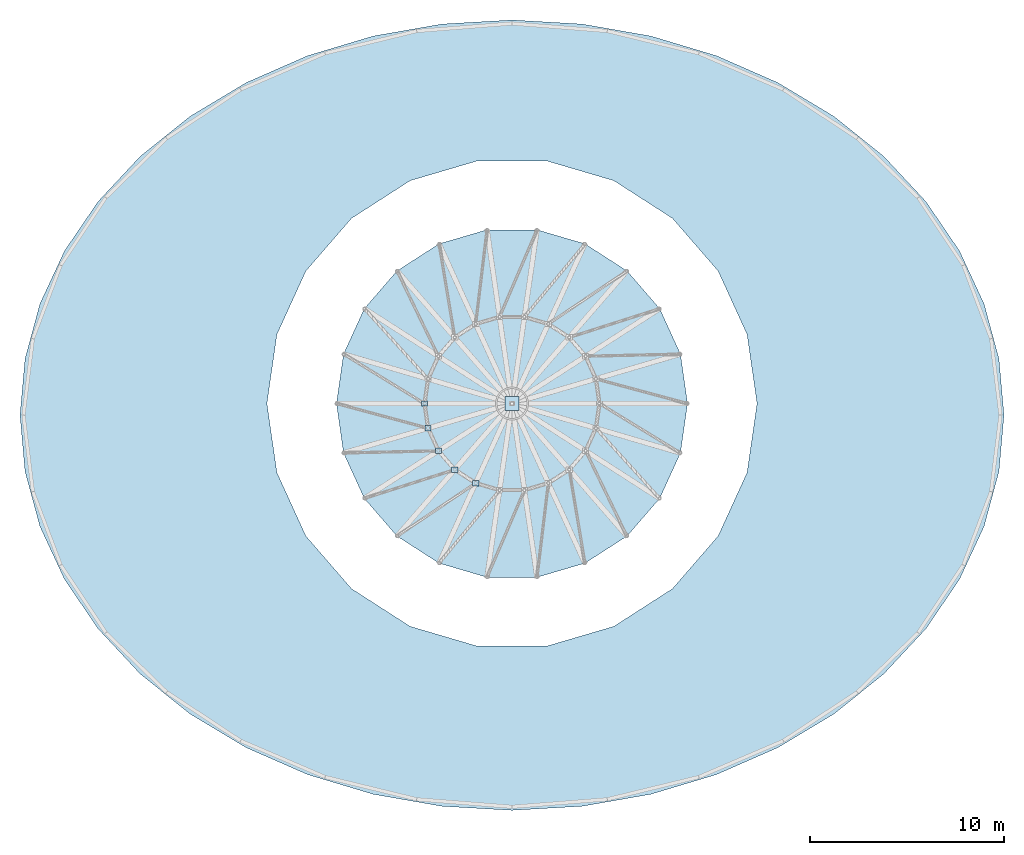
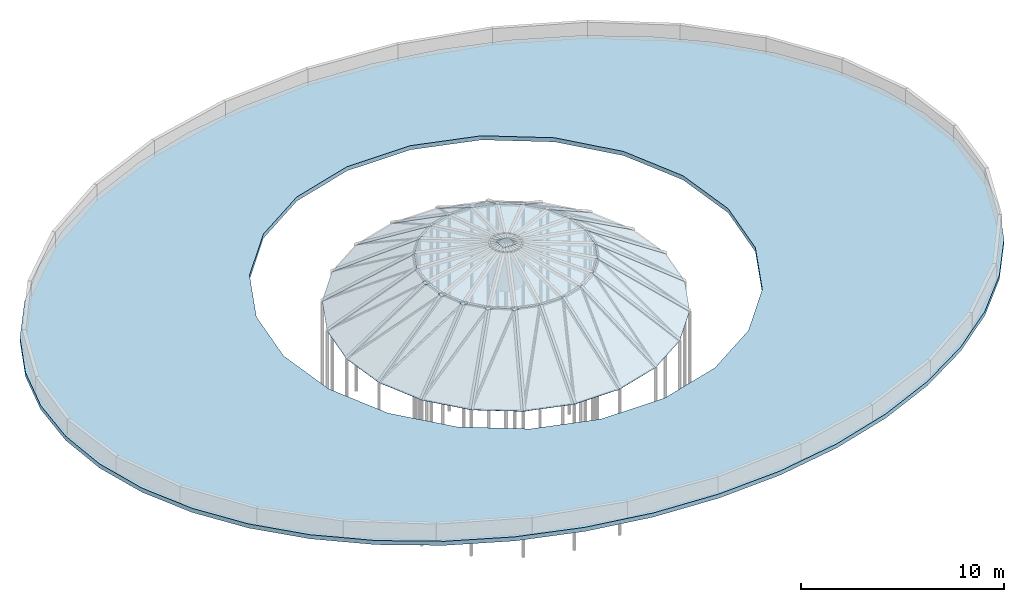
# One storey, part 6 of 8: 50 plates, 1 slab.
"""IFC4 building model written with IfcOpenShell, lengths in metres."""

from ifc_helpers import new_model, si_unit, direction, frame, origin, origin_2d, place, context, subcontext, project, spatial, polyline, rectangle, outline, extrude, material, layer, layer_set, type_object, element, save


model = new_model("IFC4")

# Units and contexts
model_context = context("Model", 3, precision=1e-05, world=origin(), true_north=direction((0.0, 1.0)))
body_context = subcontext(model_context, "Body", "Model", "MODEL_VIEW")
ifc_project = project(units=[si_unit("LENGTHUNIT", "METRE"), si_unit("AREAUNIT", "SQUARE_METRE"), si_unit("VOLUMEUNIT", "CUBIC_METRE"), si_unit("PLANEANGLEUNIT", "RADIAN"), si_unit("MASSUNIT", "GRAM", prefix="KILO")], contexts=[model_context])

# Site, building, storey
site_placement = place(None, origin())
site = spatial("IfcSite", under=ifc_project, at=site_placement, CompositionType="ELEMENT")
building_placement = place(site_placement, origin())
building = spatial("IfcBuilding", under=site, at=building_placement, Name="Pelvatis Terrace Science Centre", CompositionType="ELEMENT")
storey_placement = place(building_placement, frame((0.0, 0.0, 28.800048828125)))
storey = spatial("IfcBuildingStorey", under=building, at=storey_placement, Name="RF", CompositionType="ELEMENT", Elevation=28.800048828125)

# Plates
ifc_material_1 = material(Name="Structural steel S355", Category="steel")
ifc_layer_1 = layer(ifc_material_1, 0.031982421875)
ifc_layer_set_1 = layer_set([ifc_layer_1], Name="Structural steel S355")
plate_type_1 = type_object("IfcPlateType", Name="PLT-CAP-720x720x32", PredefinedType="USERDEFINED", material=ifc_layer_set_1)
plate_1_placement = place(storey_placement, frame((109.199951171875, 85.800048828125, 2.3681640625), z_axis=(0.0, 0.0, 1.0), x_axis=(1.0, 0.0, 0.0)))
element("IfcPlate", 1, at=plate_1_placement, inside=storey, type_object=plate_type_1, Name="Planetarium dome crown apex cap plate", ObjectType="CAP PLATE", PredefinedType="USERDEFINED", context=body_context, shape_type="SweptSolid", body=[
    extrude(rectangle(XDim=0.719970703125, YDim=0.719970703125, at=origin_2d()), origin(), (0.0, 0.0, 1.0), 0.031982421875),
])
ifc_material_2 = material(Name="Bronze-patinated standing-seam titanium-zinc sheet", Category="steel")
ifc_layer_2 = layer(ifc_material_2, 0.011962890625)
ifc_layer_set_2 = layer_set([ifc_layer_2], Name="Bronze-patinated standing-seam titanium-zinc sheet")
plate_type_2 = type_object("IfcPlateType", Name="PLT-DOM-SH12", PredefinedType="SHEET", material=ifc_layer_set_2)
plate_2_placement = place(storey_placement, frame((118.263671875, 85.800048828125, -1.447265625), z_axis=(0.550181092954, 0.079108941376, 0.831289684978), x_axis=(-0.142331752591, 0.989819009805, 5.6601e-06)))
element("IfcPlate", 2, at=plate_2_placement, inside=storey, type_object=plate_type_2, Name="Planetarium dome shell panel 3.01", PredefinedType="SHEET", context=body_context, shape_type="SweptSolid", body=[
    extrude(outline(polyline([(0.0, 0.0), (2.5797324168585383, -5.551115123125783e-17), (1.9324399081032637, 5.415670184627411), (0.6473902196810699, 5.415709539616202), (0.0, 0.0)])), origin(), (0.0, 0.0, -1.0), 0.013916015625),
])
plate_3_placement = place(storey_placement, frame((117.896484375, 88.353515625, -1.447265625), z_axis=(0.505614415474, 0.230881216315, 0.831292924797), x_axis=(-0.415368092473, 0.909653421753, -6.968852e-06)))
element("IfcPlate", 3, at=plate_3_placement, inside=storey, type_object=plate_type_2, Name="Planetarium dome shell panel 3.02", PredefinedType="SHEET", context=body_context, shape_type="SweptSolid", body=[
    extrude(outline(polyline([(0.0, 0.0), (2.5797459100959377, -2.220446049250313e-16), (1.9322725027435417, 5.415761298979378), (0.6469355264219757, 5.415712839972862), (0.0, 0.0)])), origin(), (0.0, 0.0, -1.0), 0.013916015625),
])
plate_4_placement = place(storey_placement, frame((116.824951171875, 90.7001953125, -1.447265625), z_axis=(0.420067060851, 0.363994919746, 0.831294991436), x_axis=(-0.65486566033, 0.755745305589, 4.9718e-08)))
element("IfcPlate", 4, at=plate_4_placement, inside=storey, type_object=plate_type_2, Name="Planetarium dome shell panel 3.03", PredefinedType="SHEET", context=body_context, shape_type="SweptSolid", body=[
    extrude(outline(polyline([(0.0, 0.0), (2.579846772441714, -2.220446049250313e-16), (1.9325000357114408, 5.4157670150134), (0.647422702510147, 5.415767360724928), (0.0, 0.0)])), origin(), (0.0, 0.0, -1.0), 0.013916015625),
])
plate_5_placement = place(storey_placement, frame((115.135498046875, 92.64990234375, -1.447265625), z_axis=(0.300518662124, 0.46759439963, 0.831290569627), x_axis=(-0.84125761292, 0.540634468319, 1.9202315e-05)))
element("IfcPlate", 5, at=plate_5_placement, inside=storey, type_object=plate_type_2, Name="Planetarium dome shell panel 3.04", PredefinedType="SHEET", context=body_context, shape_type="SweptSolid", body=[
    extrude(outline(polyline([(0.0, 0.0), (2.579937718840264, -2.220446049250313e-16), (1.9327545476483177, 5.4156359862847046), (0.6473257637300799, 5.415769521547444), (0.0, 0.0)])), origin(), (0.0, 0.0, -1.0), 0.013916015625),
])
plate_6_placement = place(storey_placement, frame((112.965087890625, 94.044677734375, -1.447265625), z_axis=(0.156602526415, 0.533326406662, 0.831287310548), x_axis=(-0.959488613652, 0.281747405022, -6.00291e-06)))
element("IfcPlate", 6, at=plate_6_placement, inside=storey, type_object=plate_type_2, Name="Planetarium dome shell panel 3.05", PredefinedType="SHEET", context=body_context, shape_type="SweptSolid", body=[
    extrude(outline(polyline([(0.0, 0.0), (2.5796039037968295, -1.1102230246251565e-16), (1.9324036203314163, 5.415676133052485), (0.6471964940612613, 5.415634394444972), (0.0, 0.0)])), origin(), (0.0, 0.0, -1.0), 0.013916015625),
])
plate_7_placement = place(storey_placement, frame((110.489990234375, 94.771484375, -1.447265625), z_axis=(0.0, 0.55584402576, 0.831286604624), x_axis=(-1.0, 0.0, 0.0)))
element("IfcPlate", 7, at=plate_7_placement, inside=storey, type_object=plate_type_2, Name="Planetarium dome shell panel 3.06", PredefinedType="SHEET", context=body_context, shape_type="SweptSolid", body=[
    extrude(outline(polyline([(0.0, 0.0), (2.579833984375, 0.0), (1.9326171875, 5.415644977266387), (0.6474609375, 5.415644977266387), (0.0, 0.0)])), origin(), (0.0, 0.0, -1.0), 0.013916015625),
])
plate_8_placement = place(storey_placement, frame((107.91015625, 94.771484375, -1.447265625), z_axis=(-0.15659386176, 0.533332008998, 0.831285348504), x_axis=(-0.959495353851, -0.281724450367, 1.905841e-06)))
element("IfcPlate", 8, at=plate_8_placement, inside=storey, type_object=plate_type_2, Name="Planetarium dome shell panel 3.07", PredefinedType="SHEET", context=body_context, shape_type="SweptSolid", body=[
    extrude(outline(polyline([(0.0, 0.0), (2.5798381546480718, -1.1102230246251565e-16), (1.9325216242474308, 5.41562004815724), (0.6473144972464567, 5.415633300322998), (0.0, 0.0)])), origin(), (0.0, 0.0, -1.0), 0.013916015625),
])
plate_9_placement = place(storey_placement, frame((105.434814453125, 94.044677734375, -1.447265625), z_axis=(-0.300537675535, 0.467588874155, 0.831286803907), x_axis=(-0.84123279303, -0.540673087736, -1.1341236e-05)))
element("IfcPlate", 9, at=plate_9_placement, inside=storey, type_object=plate_type_2, Name="Planetarium dome shell panel 3.08", PredefinedType="SHEET", context=body_context, shape_type="SweptSolid", body=[
    extrude(outline(polyline([(0.0, 0.0), (2.57973233581085, -2.220446049250313e-16), (1.9328422957017184, 5.41568731921476), (0.6474135063669628, 5.4156084558526265), (0.0, 0.0)])), origin(), (0.0, 0.0, -1.0), 0.013916015625),
])
plate_10_placement = place(storey_placement, frame((103.2646484375, 92.64990234375, -1.447265625), z_axis=(-0.42007895789, 0.364005228724, 0.831284465511), x_axis=(-0.654865660329, -0.755745305591, -4.9719e-08)))
element("IfcPlate", 10, at=plate_10_placement, inside=storey, type_object=plate_type_2, Name="Planetarium dome shell panel 3.09", PredefinedType="SHEET", context=body_context, shape_type="SweptSolid", body=[
    extrude(outline(polyline([(0.0, 0.0), (2.579846772441714, 2.220446049250313e-16), (1.9325839492493049, 5.415613981012818), (0.6475066160480113, 5.415613635305668), (0.0, 0.0)])), origin(), (0.0, 0.0, -1.0), 0.013916015625),
])
plate_11_placement = place(storey_placement, frame((101.5751953125, 90.7001953125, -1.447265625), z_axis=(-0.505609766085, 0.230914202593, 0.831286590461), x_axis=(-0.415438352489, -0.909621336184, -6.258634e-06)))
element("IfcPlate", 11, at=plate_11_placement, inside=storey, type_object=plate_type_2, Name="Planetarium dome shell panel 3.10", PredefinedType="SHEET", context=body_context, shape_type="SweptSolid", body=[
    extrude(outline(polyline([(0.0, 0.0), (2.5798473268632858, 0.0), (1.9325242492108112, 5.415666530873442), (0.6471872726773734, 5.415623010082562), (0.0, 0.0)])), origin(), (0.0, 0.0, -1.0), 0.013916015625),
])
plate_12_placement = place(storey_placement, frame((100.50341796875, 88.353515625, -1.447265625), z_axis=(-0.550181092954, 0.079108941376, 0.831289684978), x_axis=(-0.142331752591, -0.989819009805, -5.6601e-06)))
element("IfcPlate", 12, at=plate_12_placement, inside=storey, type_object=plate_type_2, Name="Planetarium dome shell panel 3.11", PredefinedType="SHEET", context=body_context, shape_type="SweptSolid", body=[
    extrude(outline(polyline([(0.0, 0.0), (2.5797324168585383, 5.551115123125783e-17), (1.9323421971774684, 5.415709539616202), (0.6472925087552747, 5.415670184627411), (0.0, 0.0)])), origin(), (0.0, 0.0, -1.0), 0.013916015625),
])
plate_13_placement = place(storey_placement, frame((100.13623046875, 85.800048828125, -1.447265625), z_axis=(-0.550183271266, -0.079104206137, 0.831288693891), x_axis=(0.142329003274, -0.989819405109, 9.814109e-06)))
element("IfcPlate", 13, at=plate_13_placement, inside=storey, type_object=plate_type_2, Name="Planetarium dome shell panel 3.12", PredefinedType="SHEET", context=body_context, shape_type="SweptSolid", body=[
    extrude(outline(polyline([(0.0, 0.0), (2.579732416738556, 5.551115123125783e-17), (1.9326815630933392, 5.415641297461893), (0.647390219471215, 5.415709539584135), (0.0, 0.0)])), origin(), (0.0, 0.0, -1.0), 0.013916015625),
])
plate_14_placement = place(storey_placement, frame((100.50341796875, 83.24658203125, -1.447265625), z_axis=(-0.505607642376, -0.230929268327, 0.831283697062), x_axis=(0.415445727481, -0.909617967876, -5.866796e-06)))
element("IfcPlate", 14, at=plate_14_placement, inside=storey, type_object=plate_type_2, Name="Planetarium dome shell panel 3.13", PredefinedType="SHEET", context=body_context, shape_type="SweptSolid", body=[
    extrude(outline(polyline([(0.0, 0.0), (2.579847326872154, -1.1102230246251565e-16), (1.9326600541792687, 5.415623010084932), (0.6475451527650717, 5.415582216687719), (0.0, 0.0)])), origin(), (0.0, 0.0, -1.0), 0.013916015625),
])
plate_15_placement = place(storey_placement, frame((101.5751953125, 80.89990234375, -1.447265625), z_axis=(-0.420099169685, -0.363992318607, 0.8312799045), x_axis=(0.654856001257, -0.755753674983, 1.9163147e-05)))
element("IfcPlate", 15, at=plate_15_placement, inside=storey, type_object=plate_type_2, Name="Planetarium dome shell panel 3.14", PredefinedType="SHEET", context=body_context, shape_type="SweptSolid", body=[
    extrude(outline(polyline([(0.0, 0.0), (2.579846771756226, 2.220446049250313e-16), (1.9325246650331243, 5.415480730660303), (0.6472628219934159, 5.415613980829573), (0.0, 0.0)])), origin(), (0.0, 0.0, -1.0), 0.013916015625),
])
plate_16_placement = place(storey_placement, frame((103.2646484375, 78.9501953125, -1.447265625), z_axis=(-0.300517565143, -0.467612213175, 0.831280945968), x_axis=(0.84124166949, -0.540659276569, -1.3211753e-05)))
element("IfcPlate", 16, at=plate_16_placement, inside=storey, type_object=plate_type_2, Name="Planetarium dome shell panel 3.15", PredefinedType="SHEET", context=body_context, shape_type="SweptSolid", body=[
    extrude(outline(polyline([(0.0, 0.0), (2.5797323357251196, 3.3306690738754696e-16), (1.932318829508102, 5.415608455829714), (0.6470220386672855, 5.4155165900715545), (0.0, 0.0)])), origin(), (0.0, 0.0, -1.0), 0.013916015625),
])
plate_17_placement = place(storey_placement, frame((105.434814453125, 77.555419921875, -1.447265625), z_axis=(-0.15659386176, -0.533332008998, 0.831285348504), x_axis=(0.959495353851, -0.281724450367, -1.905841e-06)))
element("IfcPlate", 17, at=plate_17_placement, inside=storey, type_object=plate_type_2, Name="Planetarium dome shell panel 3.16", PredefinedType="SHEET", context=body_context, shape_type="SweptSolid", body=[
    extrude(outline(polyline([(0.0, 0.0), (2.5798381546480718, 1.1102230246251565e-16), (1.9325236574016151, 5.415633300322998), (0.6473165304006415, 5.41562004815724), (0.0, 0.0)])), origin(), (0.0, 0.0, -1.0), 0.013916015625),
])
plate_18_placement = place(storey_placement, frame((107.91015625, 76.82861328125, -1.447265625), z_axis=(0.0, -0.55584402576, 0.831286604624), x_axis=(1.0, 0.0, 0.0)))
element("IfcPlate", 18, at=plate_18_placement, inside=storey, type_object=plate_type_2, Name="Planetarium dome shell panel 3.17", PredefinedType="SHEET", context=body_context, shape_type="SweptSolid", body=[
    extrude(outline(polyline([(0.0, 0.0), (2.579833984375, 0.0), (1.932373046875, 5.415644977266387), (0.647216796875, 5.415644977266387), (0.0, 0.0)])), origin(), (0.0, 0.0, -1.0), 0.013916015625),
])
plate_19_placement = place(storey_placement, frame((110.489990234375, 76.82861328125, -1.447265625), z_axis=(0.156602526415, -0.533326406662, 0.831287310548), x_axis=(0.959488613652, 0.281747405022, 6.00291e-06)))
element("IfcPlate", 19, at=plate_19_placement, inside=storey, type_object=plate_type_2, Name="Planetarium dome shell panel 3.18", PredefinedType="SHEET", context=body_context, shape_type="SweptSolid", body=[
    extrude(outline(polyline([(0.0, 0.0), (2.5796039037968295, 1.1102230246251565e-16), (1.9324074097355681, 5.415634394444972), (0.6472002834654131, 5.415676133052486), (0.0, 0.0)])), origin(), (0.0, 0.0, -1.0), 0.013916015625),
])
plate_20_placement = place(storey_placement, frame((112.965087890625, 77.555419921875, -1.447265625), z_axis=(0.30049855262, -0.467617738327, 0.83128471096), x_axis=(0.841266488362, 0.540620657698, 5.349702e-06)))
element("IfcPlate", 20, at=plate_20_placement, inside=storey, type_object=plate_type_2, Name="Planetarium dome shell panel 3.19", PredefinedType="SHEET", context=body_context, shape_type="SweptSolid", body=[
    extrude(outline(polyline([(0.0, 0.0), (2.5799377194751445, 1.1102230246251565e-16), (1.9324799664346406, 5.415598785824368), (0.6471831723024463, 5.415635986454445), (0.0, 0.0)])), origin(), (0.0, 0.0, -1.0), 0.013916015625),
])
plate_21_placement = place(storey_placement, frame((115.135498046875, 78.9501953125, -1.447265625), z_axis=(0.420087271566, -0.363982009555, 0.83129043119), x_axis=(0.654856001806, 0.755753674507, -1.9162847e-05)))
element("IfcPlate", 21, at=plate_21_placement, inside=storey, type_object=plate_type_2, Name="Planetarium dome shell panel 3.20", PredefinedType="SHEET", context=body_context, shape_type="SweptSolid", body=[
    extrude(outline(polyline([(0.0, 0.0), (2.5798467717562645, 2.220446049250313e-16), (1.9324240704450006, 5.415767360541728), (0.6471622274053886, 5.415634108685081), (0.0, 0.0)])), origin(), (0.0, 0.0, -1.0), 0.013916015625),
])
plate_22_placement = place(storey_placement, frame((116.824951171875, 80.89990234375, -1.447265625), z_axis=(0.505612292315, -0.230896280157, 0.831290032221), x_axis=(0.415375466798, 0.909650054261, 1.9093017e-05)))
element("IfcPlate", 22, at=plate_22_placement, inside=storey, type_object=plate_type_2, Name="Planetarium dome shell panel 3.21", PredefinedType="SHEET", context=body_context, shape_type="SweptSolid", body=[
    extrude(outline(polyline([(0.0, 0.0), (2.579745909506145, 1.1102230246251565e-16), (1.932588300288342, 5.415628541196865), (0.6474734063208383, 5.415761298821764), (0.0, 0.0)])), origin(), (0.0, 0.0, -1.0), 0.013916015625),
])
plate_23_placement = place(storey_placement, frame((117.896484375, 83.24658203125, -1.447265625), z_axis=(0.550183271266, -0.079104206137, 0.831288693891), x_axis=(0.142329003274, 0.989819405109, -9.814109e-06)))
element("IfcPlate", 23, at=plate_23_placement, inside=storey, type_object=plate_type_2, Name="Planetarium dome shell panel 3.22", PredefinedType="SHEET", context=body_context, shape_type="SweptSolid", body=[
    extrude(outline(polyline([(0.0, 0.0), (2.579732416738556, -5.551115123125783e-17), (1.9323421972673411, 5.415709539584135), (0.647050853645217, 5.415641297461893), (0.0, 0.0)])), origin(), (0.0, 0.0, -1.0), 0.013916015625),
])
plate_24_placement = place(storey_placement, frame((113.71533203125, 85.800048828125, 1.56298828125), z_axis=(0.195066695784, 0.028021208715, 0.980389614418), x_axis=(-0.142294791253, 0.989824323771, 2.1318861e-05)))
element("IfcPlate", 24, at=plate_24_placement, inside=storey, type_object=plate_type_2, Name="Planetarium dome shell panel 4.01", PredefinedType="SHEET", context=body_context, shape_type="SweptSolid", body=[
    extrude(outline(polyline([(0.0, 0.0), (1.2850496888410443, -2.7755575615628914e-17), (0.6893046341886755, 4.225671415810263), (0.5955992724307505, 4.2258205690630195), (0.0, 0.0)])), origin(), (0.0, 0.0, -1.0), 0.013916015625),
])
plate_25_placement = place(storey_placement, frame((113.532470703125, 87.072021484375, 1.56298828125), z_axis=(0.179260367973, 0.081868862353, 0.980389315451), x_axis=(-0.415406047045, 0.909636089902, -5.131619e-06)))
element("IfcPlate", 25, at=plate_25_placement, inside=storey, type_object=plate_type_2, Name="Planetarium dome shell panel 4.02", PredefinedType="SHEET", context=body_context, shape_type="SweptSolid", body=[
    extrude(outline(polyline([(0.0, 0.0), (1.2853369773993817, 0.0), (0.6895243771135965, 4.225732024064302), (0.5955698851719746, 4.225696107998124), (0.0, 0.0)])), origin(), (0.0, 0.0, -1.0), 0.013916015625),
])
plate_26_placement = place(storey_placement, frame((112.99853515625, 88.2412109375, 1.56298828125), z_axis=(0.148936524991, 0.129050411324, 0.980389668887), x_axis=(-0.654864827862, 0.755746026925, 4.035303e-06)))
element("IfcPlate", 26, at=plate_26_placement, inside=storey, type_object=plate_type_2, Name="Planetarium dome shell panel 4.03", PredefinedType="SHEET", context=body_context, shape_type="SweptSolid", body=[
    extrude(outline(polyline([(0.0, 0.0), (1.285077333190464, -1.1102230246251565e-16), (0.689553813169292, 4.2257376515644935), (0.5955723604211443, 4.225765890034796), (0.0, 0.0)])), origin(), (0.0, 0.0, -1.0), 0.013916015625),
])
plate_27_placement = place(storey_placement, frame((112.156982421875, 89.21240234375, 1.56298828125), z_axis=(0.106553041311, 0.165776302897, 0.98039005849), x_axis=(-0.841197832074, 0.540727479655, -7.767419e-06)))
element("IfcPlate", 27, at=plate_27_placement, inside=storey, type_object=plate_type_2, Name="Planetarium dome shell panel 4.04", PredefinedType="SHEET", context=body_context, shape_type="SweptSolid", body=[
    extrude(outline(polyline([(0.0, 0.0), (1.2854287921954428, 0.0), (0.689320252190297, 4.225820505238896), (0.5953213719754185, 4.225766134885101), (0.0, 0.0)])), origin(), (0.0, 0.0, -1.0), 0.013916015625),
])
plate_28_placement = place(storey_placement, frame((111.07568359375, 89.907470703125, 1.56298828125), z_axis=(0.055503986768, 0.189083349013, 0.980391143666), x_axis=(-0.95949912166, 0.281711617454, -1.1168534e-05)))
element("IfcPlate", 28, at=plate_28_placement, inside=storey, type_object=plate_type_2, Name="Planetarium dome shell panel 4.05", PredefinedType="SHEET", context=body_context, shape_type="SweptSolid", body=[
    extrude(outline(polyline([(0.0, 0.0), (1.285207126999513, 0.0), (0.6896245129321752, 4.22594819449235), (0.5957573179669287, 4.22587003490912), (0.0, 0.0)])), origin(), (0.0, 0.0, -1.0), 0.013916015625),
])
plate_29_placement = place(storey_placement, frame((109.842529296875, 90.26953125, 1.56298828125), z_axis=(0.0, 0.197060394684, 0.980391350863), x_axis=(-1.0, 0.0, 0.0)))
element("IfcPlate", 29, at=plate_29_placement, inside=storey, type_object=plate_type_2, Name="Planetarium dome shell panel 4.06", PredefinedType="SHEET", context=body_context, shape_type="SweptSolid", body=[
    extrude(outline(polyline([(0.0, 0.0), (1.28515625, 0.0), (0.689453125, 4.225931208596754), (0.595703125, 4.225931208596754), (0.0, 0.0)])), origin(), (0.0, 0.0, -1.0), 0.013916015625),
])
plate_30_placement = place(storey_placement, frame((108.557373046875, 90.26953125, 1.56298828125), z_axis=(-0.055503986768, 0.189083349013, 0.980391143666), x_axis=(-0.95949912166, -0.281711617454, 1.1168534e-05)))
element("IfcPlate", 30, at=plate_30_placement, inside=storey, type_object=plate_type_2, Name="Planetarium dome shell panel 4.07", PredefinedType="SHEET", context=body_context, shape_type="SweptSolid", body=[
    extrude(outline(polyline([(0.0, 0.0), (1.285207126999513, 0.0), (0.6894498090325842, 4.22587003490912), (0.5955826140673377, 4.225948194492351), (0.0, 0.0)])), origin(), (0.0, 0.0, -1.0), 0.013916015625),
])
plate_31_placement = place(storey_placement, frame((107.32421875, 89.907470703125, 1.56298828125), z_axis=(-0.106553041311, 0.165776302897, 0.98039005849), x_axis=(-0.841197832074, -0.540727479655, 7.767419e-06)))
element("IfcPlate", 31, at=plate_31_placement, inside=storey, type_object=plate_type_2, Name="Planetarium dome shell panel 4.08", PredefinedType="SHEET", context=body_context, shape_type="SweptSolid", body=[
    extrude(outline(polyline([(0.0, 0.0), (1.2854287921954428, 0.0), (0.6901074202200241, 4.225766134885102), (0.5961085400051458, 4.225820505238896), (0.0, 0.0)])), origin(), (0.0, 0.0, -1.0), 0.013916015625),
])
plate_32_placement = place(storey_placement, frame((106.242919921875, 89.21240234375, 1.56298828125), z_axis=(-0.1489506051, 0.129027720229, 0.980390516403), x_axis=(-0.654860900385, -0.755749429543, -2.9887488e-05)))
element("IfcPlate", 32, at=plate_32_placement, inside=storey, type_object=plate_type_2, Name="Planetarium dome shell panel 4.09", PredefinedType="SHEET", context=body_context, shape_type="SweptSolid", body=[
    extrude(outline(polyline([(0.0, 0.0), (1.2850773326042042, 0.0), (0.6893450938257734, 4.225946780075561), (0.5955235191203344, 4.225737651513162), (0.0, 0.0)])), origin(), (0.0, 0.0, -1.0), 0.013916015625),
])
plate_33_placement = place(storey_placement, frame((105.4013671875, 88.2412109375, 1.56298828125), z_axis=(-0.179251132407, 0.081864644437, 0.980391356307), x_axis=(-0.415406046948, -0.909636089946, 5.131365e-06)))
element("IfcPlate", 33, at=plate_33_placement, inside=storey, type_object=plate_type_2, Name="Planetarium dome shell panel 4.10", PredefinedType="SHEET", context=body_context, shape_type="SweptSolid", body=[
    extrude(outline(polyline([(0.0, 0.0), (1.2853369773993835, 0.0), (0.6896656749645281, 4.225913832289803), (0.5957111830229097, 4.2259497484307476), (0.0, 0.0)])), origin(), (0.0, 0.0, -1.0), 0.013916015625),
])
plate_34_placement = place(storey_placement, frame((104.867431640625, 87.072021484375, 1.56298828125), z_axis=(-0.19505631231, 0.02805461093, 0.980390725085), x_axis=(-0.142301528675, -0.989823355341, 1.2543676e-05)))
element("IfcPlate", 34, at=plate_34_placement, inside=storey, type_object=plate_type_2, Name="Planetarium dome shell panel 4.11", PredefinedType="SHEET", context=body_context, shape_type="SweptSolid", body=[
    extrude(outline(polyline([(0.0, 0.0), (1.2850496890396852, 2.7755575615628914e-17), (0.6894504163037194, 4.225820569080407), (0.5957103139827045, 4.2259083331364735), (0.0, 0.0)])), origin(), (0.0, 0.0, -1.0), 0.013916015625),
])
plate_35_placement = place(storey_placement, frame((104.6845703125, 85.800048828125, 1.56298828125), z_axis=(-0.195057725725, -0.028044780308, 0.980390725136), x_axis=(0.142273875776, -0.989827330501, -8.028827e-06)))
element("IfcPlate", 35, at=plate_35_placement, inside=storey, type_object=plate_type_2, Name="Planetarium dome shell panel 4.12", PredefinedType="SHEET", context=body_context, shape_type="SweptSolid", body=[
    extrude(outline(polyline([(0.0, 0.0), (1.2852913457515114, -5.551115123125783e-17), (0.6894690468880262, 4.2258925455570004), (0.595487290030445, 4.225836350749802), (0.0, 0.0)])), origin(), (0.0, 0.0, -1.0), 0.013916015625),
])
plate_36_placement = place(storey_placement, frame((104.867431640625, 84.52783203125, 1.56298828125), z_axis=(-0.179247221103, -0.081878790955, 0.980390890063), x_axis=(0.415477641559, -0.909603391236, -4.093514e-06)))
element("IfcPlate", 36, at=plate_36_placement, inside=storey, type_object=plate_type_2, Name="Planetarium dome shell panel 4.13", PredefinedType="SHEET", context=body_context, shape_type="SweptSolid", body=[
    extrude(outline(polyline([(0.0, 0.0), (1.285114902179426, -1.1102230246251565e-16), (0.6899527516064115, 4.22589637983257), (0.5959982570795566, 4.225867732910878), (0.0, 0.0)])), origin(), (0.0, 0.0, -1.0), 0.013916015625),
])
plate_37_placement = place(storey_placement, frame((105.4013671875, 83.35888671875, 1.56298828125), z_axis=(-0.1489506051, -0.129027720229, 0.980390516403), x_axis=(0.654770535919, -0.755827721943, 5.854482e-06)))
element("IfcPlate", 37, at=plate_37_placement, inside=storey, type_object=plate_type_2, Name="Planetarium dome shell panel 4.14", PredefinedType="SHEET", context=body_context, shape_type="SweptSolid", body=[
    extrude(outline(polyline([(0.0, 0.0), (1.28526185130014, 0.0), (0.689038458522883, 4.225821714623384), (0.5954013872633028, 4.225862679568698), (0.0, 0.0)])), origin(), (0.0, 0.0, -1.0), 0.013916015625),
])
plate_38_placement = place(storey_placement, frame((106.242919921875, 82.387451171875, 1.56298828125), z_axis=(-0.106525818428, -0.165788217088, 0.980391002143), x_axis=(0.841283992596, -0.540593418172, -5.664196e-06)))
element("IfcPlate", 38, at=plate_38_placement, inside=storey, type_object=plate_type_2, Name="Planetarium dome shell panel 4.15", PredefinedType="SHEET", context=body_context, shape_type="SweptSolid", body=[
    extrude(outline(polyline([(0.0, 0.0), (1.2852967947563334, 1.1102230246251565e-16), (0.6898502416085859, 4.225913834469136), (0.5958513537715153, 4.225874189098603), (0.0, 0.0)])), origin(), (0.0, 0.0, -1.0), 0.013916015625),
])
plate_39_placement = place(storey_placement, frame((107.32421875, 81.692626953125, 1.56298828125), z_axis=(-0.055537612132, -0.18907905638, 0.980390067308), x_axis=(0.959497263217, -0.281717946555, 2.164786e-05)))
element("IfcPlate", 39, at=plate_39_placement, inside=storey, type_object=plate_type_2, Name="Planetarium dome shell panel 4.16", PredefinedType="SHEET", context=body_context, shape_type="SweptSolid", body=[
    extrude(outline(polyline([(0.0, 0.0), (1.2852071267695964, 0.0), (0.6896932908317966, 4.225718535502461), (0.5957573176136736, 4.225870034888995), (0.0, 0.0)])), origin(), (0.0, 0.0, -1.0), 0.013916015625),
])
plate_40_placement = place(storey_placement, frame((108.557373046875, 81.33056640625, 1.56298828125), z_axis=(0.0, -0.197071556647, 0.980389107223), x_axis=(1.0, 0.0, 0.0)))
element("IfcPlate", 40, at=plate_40_placement, inside=storey, type_object=plate_type_2, Name="Planetarium dome shell panel 4.17", PredefinedType="SHEET", context=body_context, shape_type="SweptSolid", body=[
    extrude(outline(polyline([(0.0, 0.0), (1.28515625, 0.0), (0.689453125, 4.2256918555134835), (0.595703125, 4.2256918555134835), (0.0, 0.0)])), origin(), (0.0, 0.0, -1.0), 0.013916015625),
])
plate_41_placement = place(storey_placement, frame((109.842529296875, 81.33056640625, 1.56298828125), z_axis=(0.055537612132, -0.18907905638, 0.980390067308), x_axis=(0.959497263217, 0.281717946555, -2.164786e-05)))
element("IfcPlate", 41, at=plate_41_placement, inside=storey, type_object=plate_type_2, Name="Planetarium dome shell panel 4.18", PredefinedType="SHEET", context=body_context, shape_type="SweptSolid", body=[
    extrude(outline(polyline([(0.0, 0.0), (1.2852071267695964, 0.0), (0.6894498091559229, 4.225870034888996), (0.5955138359377998, 4.225718535502462), (0.0, 0.0)])), origin(), (0.0, 0.0, -1.0), 0.013916015625),
])
plate_42_placement = place(storey_placement, frame((111.07568359375, 81.692626953125, 1.56298828125), z_axis=(0.106525818428, -0.165788217088, 0.980391002143), x_axis=(0.841283992596, 0.540593418172, 5.664196e-06)))
element("IfcPlate", 42, at=plate_42_placement, inside=storey, type_object=plate_type_2, Name="Planetarium dome shell panel 4.19", PredefinedType="SHEET", context=body_context, shape_type="SweptSolid", body=[
    extrude(outline(polyline([(0.0, 0.0), (1.2852967947563334, -1.1102230246251565e-16), (0.6894454409848185, 4.225874189098603), (0.5954465531477473, 4.225913834469136), (0.0, 0.0)])), origin(), (0.0, 0.0, -1.0), 0.013916015625),
])
plate_43_placement = place(storey_placement, frame((112.156982421875, 82.387451171875, 1.56298828125), z_axis=(0.148936524991, -0.129050411324, 0.980389668887), x_axis=(0.654774463553, 0.75582431919, 1.9998197e-05)))
element("IfcPlate", 43, at=plate_43_placement, inside=storey, type_object=plate_type_2, Name="Planetarium dome shell panel 4.20", PredefinedType="SHEET", context=body_context, shape_type="SweptSolid", body=[
    extrude(outline(polyline([(0.0, 0.0), (1.2852618510556657, 0.0), (0.690020320473115, 4.2256817701040115), (0.596223392401718, 4.225821714602014), (0.0, 0.0)])), origin(), (0.0, 0.0, -1.0), 0.013916015625),
])
plate_44_placement = place(storey_placement, frame((112.99853515625, 83.35888671875, 1.56298828125), z_axis=(0.179256456261, -0.081883009507, 0.980388849204), x_axis=(0.415477641636, 0.909603391201, 4.093716e-06)))
element("IfcPlate", 44, at=plate_44_placement, inside=storey, type_object=plate_type_2, Name="Planetarium dome shell panel 4.21", PredefinedType="SHEET", context=body_context, shape_type="SweptSolid", body=[
    extrude(outline(polyline([(0.0, 0.0), (1.2851149021794248, 5.551115123125783e-17), (0.6892180798882327, 4.225650016562421), (0.5952635853613751, 4.22567866342448), (0.0, 0.0)])), origin(), (0.0, 0.0, -1.0), 0.013916015625),
])
plate_45_placement = place(storey_placement, frame((113.532470703125, 84.52783203125, 1.56298828125), z_axis=(0.195068107524, -0.028011389546, 0.980389614124), x_axis=(0.142267140566, 0.989828298266, -2.582221e-05)))
element("IfcPlate", 45, at=plate_45_placement, inside=storey, type_object=plate_type_2, Name="Planetarium dome shell panel 4.22", PredefinedType="SHEET", context=body_context, shape_type="SweptSolid", body=[
    extrude(outline(polyline([(0.0, 0.0), (1.2852913453487902, 2.7755575615628914e-17), (0.6898040559372037, 4.2258363507145225), (0.5958570326877036, 4.225655627328156), (0.0, 0.0)])), origin(), (0.0, 0.0, -1.0), 0.013916015625),
])
ifc_material_3 = material(Name="Structural steel S355", Category="steel")
ifc_layer_3 = layer(ifc_material_3, 0.01611328125)
ifc_layer_set_3 = layer_set([ifc_layer_3], Name="Structural steel S355")
plate_type_3 = type_object("IfcPlateType", Name="PLT-GUS-320x280x16", PredefinedType="USERDEFINED", material=ifc_layer_set_3)
for number, where, z_axis, x_axis, name in (
    (46, (104.6845703125, 85.800048828125, 1.554931640625), (0.0, 0.0, 1.0), (1.0, 0.0, 0.0), "Brace and strut end connection gusset plate 011"),
    (47, (104.867431640625, 84.52783203125, 1.554931640625), (0.0, 0.0, 1.0), (1.0, 0.0, 0.0), "Brace and strut end connection gusset plate 012"),
    (48, (105.4013671875, 83.35888671875, 1.554931640625), (0.0, 0.0, 1.0), (1.0, 0.0, 0.0), "Brace and strut end connection gusset plate 013"),
    (49, (106.242919921875, 82.387451171875, 1.554931640625), (0.0, 0.0, 1.0), (1.0, 0.0, 0.0), "Brace and strut end connection gusset plate 014"),
    (50, (107.32421875, 81.692626953125, 1.554931640625), (0.0, 0.0, 1.0), (1.0, 0.0, 0.0), "Brace and strut end connection gusset plate 015"),
):
    element("IfcPlate", number, at=place(storey_placement, frame(where, z_axis=z_axis, x_axis=x_axis)), inside=storey, type_object=plate_type_3, Name=name, ObjectType="GUSSET", PredefinedType="USERDEFINED", context=body_context, shape_type="SweptSolid", body=[
        extrude(rectangle(XDim=0.320068359375, YDim=0.280029296875, at=origin_2d()), origin(), (0.0, 0.0, 1.0), 0.01611328125),
    ])

# Slab
ifc_material_4 = material(Name="Concrete C35/45", Category="concrete")
ifc_layer_4 = layer(ifc_material_4, 0.248046875)
ifc_layer_set_4 = layer_set([ifc_layer_4], Name="Concrete C35/45")
slab_type = type_object("IfcSlabType", Name="SLB-ROOF-248", PredefinedType="ROOF", material=ifc_layer_set_4)
slab_placement = place(storey_placement, frame((0.0, 0.0, -0.248046875)))
element("IfcSlab", 51, at=slab_placement, inside=storey, type_object=slab_type, Name="RF Observatory elliptical crown roof slab", PredefinedType="ROOF", context=body_context, shape_type="SweptSolid", body=[
    extrude(outline(polyline([(134.341552734375, 82.296875), (133.571044921875, 79.45263671875), (132.3046875, 76.7255859375), (130.56787109375, 74.1708984375), (128.39599609375, 71.8408203125), (125.83349609375, 69.78271484375), (122.932373046875, 68.038330078125), (119.75146484375, 66.6435546875), (116.35595703125, 65.626220703125), (112.814697265625, 65.007568359375), (109.199951171875, 64.800048828125), (105.585205078125, 65.007568359375), (102.0439453125, 65.626220703125), (98.6484375, 66.6435546875), (95.4677734375, 68.038330078125), (92.56640625, 69.78271484375), (90.00390625, 71.8408203125), (87.832275390625, 74.1708984375), (86.09521484375, 76.7255859375), (84.828857421875, 79.45263671875), (84.05859375, 82.296875), (83.800048828125, 85.199951171875), (84.05859375, 88.103271484375), (84.828857421875, 90.947265625), (86.09521484375, 93.674560546875), (87.832275390625, 96.22900390625), (90.00390625, 98.55908203125), (92.56640625, 100.6171875), (95.4677734375, 102.361572265625), (98.6484375, 103.756591796875), (102.0439453125, 104.773681640625), (105.585205078125, 105.392333984375), (109.199951171875, 105.60009765625), (112.814697265625, 105.392333984375), (116.35595703125, 104.773681640625), (119.75146484375, 103.756591796875), (122.932373046875, 102.361572265625), (125.83349609375, 100.6171875), (128.39599609375, 98.55908203125), (130.56787109375, 96.22900390625), (132.3046875, 93.674560546875), (133.571044921875, 90.947265625), (134.341552734375, 88.103271484375), (134.60009765625, 85.199951171875), (134.341552734375, 82.296875)]), holes=[polyline([(121.337646484375, 89.364013671875), (119.841796875, 92.63916015625), (117.48388671875, 95.360107421875), (114.455078125, 97.306884765625), (111.000244140625, 98.3212890625), (107.399658203125, 98.3212890625), (103.945068359375, 97.306884765625), (100.916015625, 95.360107421875), (98.55810546875, 92.63916015625), (97.0625, 89.364013671875), (96.550048828125, 85.800048828125), (97.0625, 82.236083984375), (98.55810546875, 78.9609375), (100.916015625, 76.23974609375), (103.945068359375, 74.293212890625), (107.399658203125, 73.27880859375), (111.000244140625, 73.27880859375), (114.455078125, 74.293212890625), (117.48388671875, 76.23974609375), (119.841796875, 78.9609375), (121.337646484375, 82.236083984375), (121.85009765625, 85.800048828125), (121.337646484375, 89.364013671875)])]), origin(), (0.0, 0.0, 1.0), 0.248046875),
])

save(model, "model.ifc")
